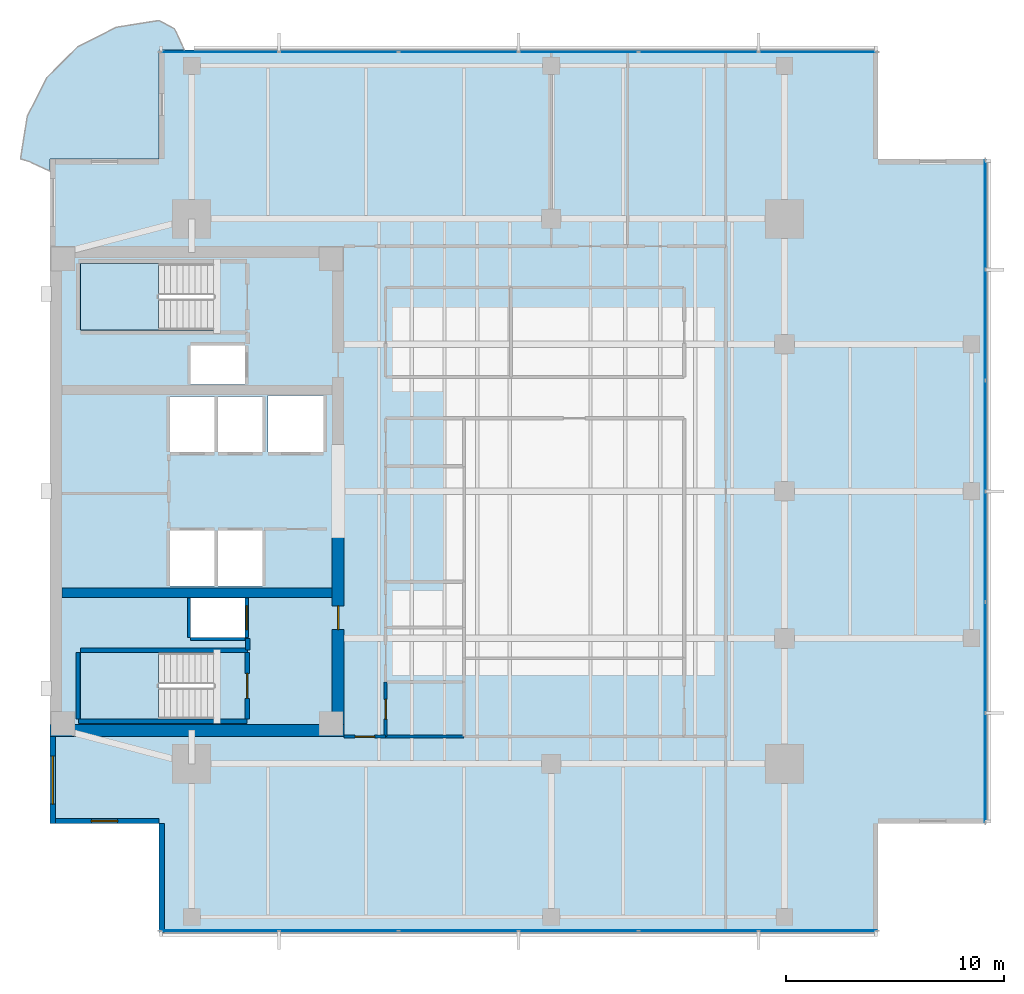
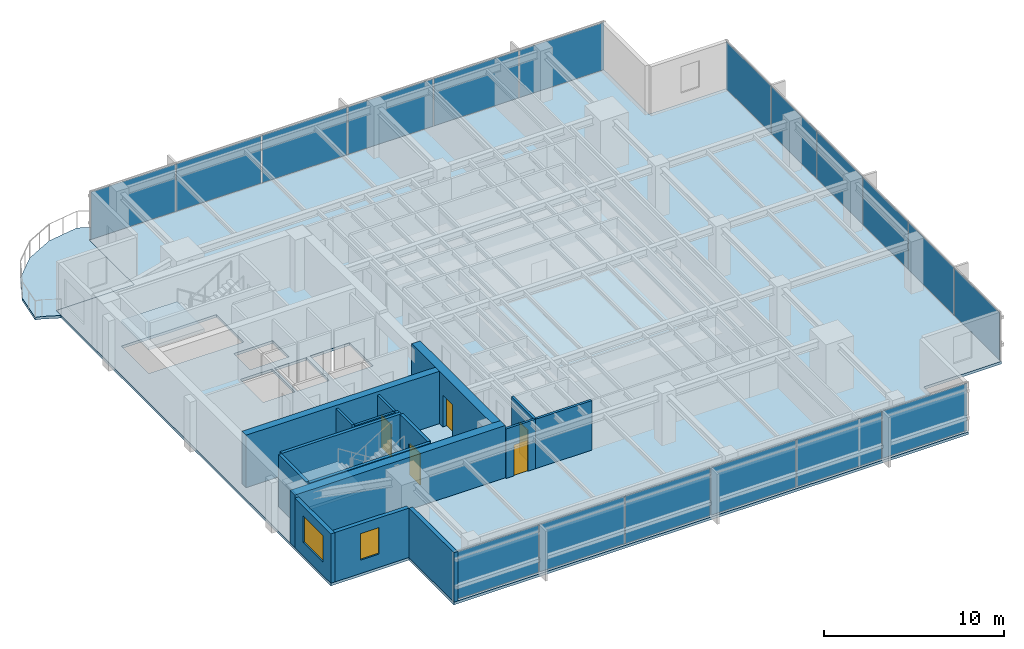
# One storey, part 7 of 15: 18 plates, 17 walls, 5 doors, 4 slabs, 2 windows, 7 openings, 5 elements without a shape of their own.
"""IFC4 building model written with IfcOpenShell, lengths in metres."""

from ifc_helpers import new_model, si_unit, direction, frame, frame_2d, origin, origin_2d, place, context, subcontext, project, spatial, polyline, rectangle, outline, extrude, material, layer, layer_set, type_object, element, fill, aggregate, save


model = new_model("IFC4")

# Units and contexts
model_context = context("Model", 3, precision=1e-05, world=origin(), true_north=direction((0.0, 1.0)))
body_context = subcontext(model_context, "Body", "Model", "MODEL_VIEW")
ifc_project = project(units=[si_unit("LENGTHUNIT", "METRE"), si_unit("AREAUNIT", "SQUARE_METRE"), si_unit("VOLUMEUNIT", "CUBIC_METRE"), si_unit("PLANEANGLEUNIT", "RADIAN"), si_unit("MASSUNIT", "GRAM", prefix="KILO")], contexts=[model_context])

# Site, building, storey
site_placement = place(None, origin())
site = spatial("IfcSite", under=ifc_project, at=site_placement, CompositionType="ELEMENT")
building_placement = place(site_placement, origin())
building = spatial("IfcBuilding", under=site, at=building_placement, Name="Kinhvarn Gate Tower", CompositionType="ELEMENT")
storey_placement = place(building_placement, frame((0.0, 0.0, 237.75)))
storey = spatial("IfcBuildingStorey", under=building, at=storey_placement, Name="L63", CompositionType="ELEMENT", Elevation=237.75)

# Curtain wall, plates
ifc_material_1 = material(Name="Anodised aluminium AW-6063", Category="aluminium")
ifc_layer_1 = layer(ifc_material_1, 0.179931640625)
ifc_layer_set_1 = layer_set([ifc_layer_1], Name="Anodised aluminium AW-6063")
curtain_wall_type = type_object("IfcCurtainWallType", Name="CW-SYS-3", PredefinedType="NOTDEFINED", material=ifc_layer_set_1)
curtain_wall_1_placement = place(storey_placement, origin())
curtain_wall_1 = element("IfcCurtainWall", 1, at=curtain_wall_1_placement, inside=storey, type_object=curtain_wall_type, Name="Curtain Wall CW3 (L63)", PredefinedType="NOTDEFINED")
ifc_material_2 = material(Name="Clear low-e double glazing", Category="glass")
ifc_layer_2 = layer(ifc_material_2, 0.031982421875)
ifc_layer_set_2 = layer_set([ifc_layer_2], Name="Clear low-e double glazing")
plate_type = type_object("IfcPlateType", Name="CW-PNL-VIS", PredefinedType="CURTAIN_PANEL", material=ifc_layer_set_2)
plate_1_placement = place(storey_placement, frame((12.266357421875, 5.090087890625, 0.070068359375), z_axis=(0.0, 0.0, 1.0), x_axis=(1.0, 0.0, 0.0)))
plate_1 = element("IfcPlate", 2, at=plate_1_placement, type_object=plate_type, Name="CW3 panel 1.1", PredefinedType="CURTAIN_PANEL", context=body_context, shape_type="SweptSolid", body=[
    extrude(rectangle(XDim=5.402587890625, YDim=0.031982421875, at=origin_2d()), origin(), (0.0, 0.0, 1.0), 3.2099609375),
])
plate_2_placement = place(storey_placement, frame((17.75, 5.090087890625, 0.070068359375), z_axis=(0.0, 0.0, 1.0), x_axis=(1.0, 0.0, 0.0)))
plate_2 = element("IfcPlate", 3, at=plate_2_placement, type_object=plate_type, Name="CW3 panel 2.1", PredefinedType="CURTAIN_PANEL", context=body_context, shape_type="SweptSolid", body=[
    extrude(rectangle(XDim=5.43505859375, YDim=0.031982421875, at=origin_2d()), origin(), (0.0, 0.0, 1.0), 3.2099609375),
])
plate_3_placement = place(storey_placement, frame((23.25, 5.090087890625, 0.070068359375), z_axis=(0.0, 0.0, 1.0), x_axis=(1.0, 0.0, 0.0)))
plate_3 = element("IfcPlate", 4, at=plate_3_placement, type_object=plate_type, Name="CW3 panel 3.1", PredefinedType="CURTAIN_PANEL", context=body_context, shape_type="SweptSolid", body=[
    extrude(rectangle(XDim=5.43505859375, YDim=0.031982421875, at=origin_2d()), origin(), (0.0, 0.0, 1.0), 3.2099609375),
])
plate_4_placement = place(storey_placement, frame((28.75, 5.090087890625, 0.070068359375), z_axis=(0.0, 0.0, 1.0), x_axis=(1.0, 0.0, 0.0)))
plate_4 = element("IfcPlate", 5, at=plate_4_placement, type_object=plate_type, Name="CW3 panel 4.1", PredefinedType="CURTAIN_PANEL", context=body_context, shape_type="SweptSolid", body=[
    extrude(rectangle(XDim=5.43505859375, YDim=0.031982421875, at=origin_2d()), origin(), (0.0, 0.0, 1.0), 3.2099609375),
])
plate_5_placement = place(storey_placement, frame((34.25, 5.090087890625, 0.070068359375), z_axis=(0.0, 0.0, 1.0), x_axis=(1.0, 0.0, 0.0)))
plate_5 = element("IfcPlate", 6, at=plate_5_placement, type_object=plate_type, Name="CW3 panel 5.1", PredefinedType="CURTAIN_PANEL", context=body_context, shape_type="SweptSolid", body=[
    extrude(rectangle(XDim=5.43505859375, YDim=0.031982421875, at=origin_2d()), origin(), (0.0, 0.0, 1.0), 3.2099609375),
])
plate_6_placement = place(storey_placement, frame((39.733642578125, 5.090087890625, 0.070068359375), z_axis=(0.0, 0.0, 1.0), x_axis=(1.0, 0.0, 0.0)))
plate_6 = element("IfcPlate", 7, at=plate_6_placement, type_object=plate_type, Name="CW3 panel 6.1", PredefinedType="CURTAIN_PANEL", context=body_context, shape_type="SweptSolid", body=[
    extrude(rectangle(XDim=5.402587890625, YDim=0.031982421875, at=origin_2d()), origin(), (0.0, 0.0, 1.0), 3.2099609375),
])
aggregate(curtain_wall_1, [plate_1, plate_2, plate_3, plate_4, plate_5, plate_6])

curtain_wall_2_placement = place(storey_placement, origin())
curtain_wall_2 = element("IfcCurtainWall", 8, at=curtain_wall_2_placement, inside=storey, type_object=curtain_wall_type, Name="Curtain Wall CW3 (L63)", PredefinedType="NOTDEFINED")
plate_7_placement = place(storey_placement, frame((39.733642578125, 45.409912109375, 0.070068359375), z_axis=(0.0, 0.0, 1.0), x_axis=(-1.0, 0.0, 0.0)))
plate_7 = element("IfcPlate", 9, at=plate_7_placement, type_object=plate_type, Name="CW3 panel 1.1", PredefinedType="CURTAIN_PANEL", context=body_context, shape_type="SweptSolid", body=[
    extrude(rectangle(XDim=5.402587890625, YDim=0.031982421875, at=origin_2d()), origin(), (0.0, 0.0, 1.0), 3.2099609375),
])
plate_8_placement = place(storey_placement, frame((34.25, 45.409912109375, 0.070068359375), z_axis=(0.0, 0.0, 1.0), x_axis=(-1.0, 0.0, 0.0)))
plate_8 = element("IfcPlate", 10, at=plate_8_placement, type_object=plate_type, Name="CW3 panel 2.1", PredefinedType="CURTAIN_PANEL", context=body_context, shape_type="SweptSolid", body=[
    extrude(rectangle(XDim=5.43505859375, YDim=0.031982421875, at=origin_2d()), origin(), (0.0, 0.0, 1.0), 3.2099609375),
])
plate_9_placement = place(storey_placement, frame((28.75, 45.409912109375, 0.070068359375), z_axis=(0.0, 0.0, 1.0), x_axis=(-1.0, 0.0, 0.0)))
plate_9 = element("IfcPlate", 11, at=plate_9_placement, type_object=plate_type, Name="CW3 panel 3.1", PredefinedType="CURTAIN_PANEL", context=body_context, shape_type="SweptSolid", body=[
    extrude(rectangle(XDim=5.43505859375, YDim=0.031982421875, at=origin_2d()), origin(), (0.0, 0.0, 1.0), 3.2099609375),
])
plate_10_placement = place(storey_placement, frame((23.25, 45.409912109375, 0.070068359375), z_axis=(0.0, 0.0, 1.0), x_axis=(-1.0, 0.0, 0.0)))
plate_10 = element("IfcPlate", 12, at=plate_10_placement, type_object=plate_type, Name="CW3 panel 4.1", PredefinedType="CURTAIN_PANEL", context=body_context, shape_type="SweptSolid", body=[
    extrude(rectangle(XDim=5.43505859375, YDim=0.031982421875, at=origin_2d()), origin(), (0.0, 0.0, 1.0), 3.2099609375),
])
plate_11_placement = place(storey_placement, frame((17.75, 45.409912109375, 0.070068359375), z_axis=(0.0, 0.0, 1.0), x_axis=(-1.0, 0.0, 0.0)))
plate_11 = element("IfcPlate", 13, at=plate_11_placement, type_object=plate_type, Name="CW3 panel 5.1", PredefinedType="CURTAIN_PANEL", context=body_context, shape_type="SweptSolid", body=[
    extrude(rectangle(XDim=5.43505859375, YDim=0.031982421875, at=origin_2d()), origin(), (0.0, 0.0, 1.0), 3.2099609375),
])
plate_12_placement = place(storey_placement, frame((12.266357421875, 45.409912109375, 0.070068359375), z_axis=(0.0, 0.0, 1.0), x_axis=(-1.0, 0.0, 0.0)))
plate_12 = element("IfcPlate", 14, at=plate_12_placement, type_object=plate_type, Name="CW3 panel 6.1", PredefinedType="CURTAIN_PANEL", context=body_context, shape_type="SweptSolid", body=[
    extrude(rectangle(XDim=5.402587890625, YDim=0.031982421875, at=origin_2d()), origin(), (0.0, 0.0, 1.0), 3.2099609375),
])
aggregate(curtain_wall_2, [plate_7, plate_8, plate_9, plate_10, plate_11, plate_12])

curtain_wall_3_placement = place(storey_placement, origin())
curtain_wall_3 = element("IfcCurtainWall", 15, at=curtain_wall_3_placement, inside=storey, type_object=curtain_wall_type, Name="Curtain Wall CW3 (L63)", PredefinedType="NOTDEFINED")
plate_13_placement = place(storey_placement, frame((47.409912109375, 12.557861328125, 0.070068359375), z_axis=(0.0, 0.0, 1.0), x_axis=(0.0, 1.0, 0.0)))
plate_13 = element("IfcPlate", 16, at=plate_13_placement, type_object=plate_type, Name="CW3 panel 1.1", PredefinedType="CURTAIN_PANEL", context=body_context, shape_type="SweptSolid", body=[
    extrude(rectangle(XDim=4.98583984375, YDim=0.031982421875, at=origin_2d()), origin(), (0.0, 0.0, 1.0), 3.2099609375),
])
plate_14_placement = place(storey_placement, frame((47.409912109375, 17.625, 0.070068359375), z_axis=(0.0, 0.0, 1.0), x_axis=(0.0, 1.0, 0.0)))
plate_14 = element("IfcPlate", 17, at=plate_14_placement, type_object=plate_type, Name="CW3 panel 2.1", PredefinedType="CURTAIN_PANEL", context=body_context, shape_type="SweptSolid", body=[
    extrude(rectangle(XDim=5.018310546875, YDim=0.031982421875, at=origin_2d()), origin(), (0.0, 0.0, 1.0), 3.2099609375),
])
plate_15_placement = place(storey_placement, frame((47.409912109375, 22.708251953125, 0.070068359375), z_axis=(0.0, 0.0, 1.0), x_axis=(0.0, 1.0, 0.0)))
plate_15 = element("IfcPlate", 18, at=plate_15_placement, type_object=plate_type, Name="CW3 panel 3.1", PredefinedType="CURTAIN_PANEL", context=body_context, shape_type="SweptSolid", body=[
    extrude(rectangle(XDim=5.018310546875, YDim=0.031982421875, at=origin_2d()), origin(), (0.0, 0.0, 1.0), 3.2099609375),
])
plate_16_placement = place(storey_placement, frame((47.409912109375, 27.791748046875, 0.070068359375), z_axis=(0.0, 0.0, 1.0), x_axis=(0.0, 1.0, 0.0)))
plate_16 = element("IfcPlate", 19, at=plate_16_placement, type_object=plate_type, Name="CW3 panel 4.1", PredefinedType="CURTAIN_PANEL", context=body_context, shape_type="SweptSolid", body=[
    extrude(rectangle(XDim=5.018310546875, YDim=0.031982421875, at=origin_2d()), origin(), (0.0, 0.0, 1.0), 3.2099609375),
])
plate_17_placement = place(storey_placement, frame((47.409912109375, 32.875, 0.070068359375), z_axis=(0.0, 0.0, 1.0), x_axis=(0.0, 1.0, 0.0)))
plate_17 = element("IfcPlate", 20, at=plate_17_placement, type_object=plate_type, Name="CW3 panel 5.1", PredefinedType="CURTAIN_PANEL", context=body_context, shape_type="SweptSolid", body=[
    extrude(rectangle(XDim=5.018310546875, YDim=0.031982421875, at=origin_2d()), origin(), (0.0, 0.0, 1.0), 3.2099609375),
])
plate_18_placement = place(storey_placement, frame((47.409912109375, 37.942138671875, 0.070068359375), z_axis=(0.0, 0.0, 1.0), x_axis=(0.0, 1.0, 0.0)))
plate_18 = element("IfcPlate", 21, at=plate_18_placement, type_object=plate_type, Name="CW3 panel 6.1", PredefinedType="CURTAIN_PANEL", context=body_context, shape_type="SweptSolid", body=[
    extrude(rectangle(XDim=4.98583984375, YDim=0.031982421875, at=origin_2d()), origin(), (0.0, 0.0, 1.0), 3.2099609375),
])
aggregate(curtain_wall_3, [plate_13, plate_14, plate_15, plate_16, plate_17, plate_18])

# Slabs
ifc_material_3 = material(Name="Precast white architectural concrete C40/50", Category="concrete")
ifc_layer_3 = layer(ifc_material_3, 0.179931640625)
ifc_layer_set_3 = layer_set([ifc_layer_3], Name="Precast white architectural concrete C40/50")
slab_type_1 = type_object("IfcSlabType", Name="SLB-BAL-180", PredefinedType="FLOOR", material=ifc_layer_set_3)
slab_1_placement = place(storey_placement, frame((0.0, 0.0, -0.179931640625)))
element("IfcSlab", 22, at=slab_1_placement, inside=storey, type_object=slab_type_1, Name="S-Carve Curved Terrace Balcony Slab L63 (NW)", PredefinedType="FLOOR", context=body_context, shape_type="SweptSolid", body=[
    extrude(outline(polyline([(10.6650390625, 45.5), (10.215087890625, 46.471923828125), (9.5, 46.85009765625), (7.53759765625, 46.539306640625), (5.767578125, 45.63720703125), (4.36279296875, 44.232421875), (3.460693359375, 42.46240234375), (3.14990234375, 40.5), (3.528076171875, 40.39208984375), (4.5, 39.94189453125), (4.5, 40.5), (9.5, 40.5), (9.5, 45.5), (10.6650390625, 45.5)])), origin(), (0.0, 0.0, 1.0), 0.179931640625),
])
ifc_material_4 = material(Name="Concrete C40/50", Category="concrete")
ifc_layer_4 = layer(ifc_material_4, 0.179931640625)
ifc_layer_set_4 = layer_set([ifc_layer_4], Name="Concrete C40/50")
slab_type_2 = type_object("IfcSlabType", Name="SLB-FLR-180", PredefinedType="FLOOR", material=ifc_layer_set_4)
slab_2_placement = place(storey_placement, frame((0.0, 0.0, -0.179931640625)))
element("IfcSlab", 23, at=slab_2_placement, inside=storey, type_object=slab_type_2, Name="Suspended Floor Slab L63", PredefinedType="FLOOR", context=body_context, shape_type="SweptSolid", body=[
    extrude(outline(polyline([(9.5, 5.0), (42.5, 5.0), (42.5, 10.0), (47.5, 10.0), (47.5, 40.5), (42.5, 40.5), (42.5, 45.5), (9.5, 45.5), (9.5, 40.5), (4.5, 40.5), (4.5, 10.0), (9.5, 10.0), (9.5, 5.0)]), holes=[polyline([(5.89990234375, 14.800048828125), (12.0, 14.800048828125), (12.0, 17.85009765625), (5.89990234375, 17.85009765625), (5.89990234375, 14.800048828125)]), polyline([(5.89990234375, 32.64990234375), (12.0, 32.64990234375), (12.0, 35.699951171875), (5.89990234375, 35.699951171875), (5.89990234375, 32.64990234375)]), polyline([(10.0, 20.89990234375), (12.050048828125, 20.89990234375), (12.050048828125, 23.449951171875), (10.0, 23.449951171875), (10.0, 20.89990234375)]), polyline([(12.199951171875, 20.89990234375), (14.25, 20.89990234375), (14.25, 23.449951171875), (12.199951171875, 23.449951171875), (12.199951171875, 20.89990234375)]), polyline([(10.0, 27.050048828125), (12.050048828125, 27.050048828125), (12.050048828125, 29.60009765625), (10.0, 29.60009765625), (10.0, 27.050048828125)]), polyline([(12.199951171875, 27.050048828125), (14.25, 27.050048828125), (14.25, 29.60009765625), (12.199951171875, 29.60009765625), (12.199951171875, 27.050048828125)]), polyline([(14.5, 27.050048828125), (17.050048828125, 27.050048828125), (17.050048828125, 29.64990234375), (14.5, 29.64990234375), (14.5, 27.050048828125)]), polyline([(10.949951171875, 18.550048828125), (13.449951171875, 18.550048828125), (13.449951171875, 20.35009765625), (10.949951171875, 20.35009765625), (10.949951171875, 18.550048828125)]), polyline([(10.949951171875, 30.14990234375), (13.449951171875, 30.14990234375), (13.449951171875, 31.949951171875), (10.949951171875, 31.949951171875), (10.949951171875, 30.14990234375)])]), origin(), (0.0, 0.0, 1.0), 0.179931640625),
])

# Stair, slab
stair_type = type_object("IfcStairType", Name="STR-DLG-178", PredefinedType="HALF_TURN_STAIR", material=ifc_material_4)
stair_1_placement = place(storey_placement, origin())
stair_1 = element("IfcStair", 24, at=stair_1_placement, inside=storey, type_object=stair_type, Name="L63 Core Smokeproof Exit Stair ST1", PredefinedType="HALF_TURN_STAIR")
ifc_layer_5 = layer(ifc_material_4, 0.199951171875)
ifc_layer_set_5 = layer_set([ifc_layer_5], Name="Concrete C40/50")
slab_type_3 = type_object("IfcSlabType", Name="SLB-ST-LND", PredefinedType="LANDING", material=ifc_layer_set_5)
slab_3_placement = place(storey_placement, frame((0.0, 0.0, 1.574951171875)))
slab_3 = element("IfcSlab", 25, at=slab_3_placement, type_object=slab_type_3, Name="ST1 landing 1", PredefinedType="LANDING", context=body_context, shape_type="SweptSolid", body=[
    extrude(outline(polyline([(9.47998046875, 17.85009765625), (5.89990234375, 17.85009765625), (5.89990234375, 14.800048828125), (9.47998046875, 14.800048828125), (9.47998046875, 17.85009765625)])), origin(), (0.0, 0.0, 1.0), 0.199951171875),
])
aggregate(stair_1, [slab_3])

stair_2_placement = place(storey_placement, origin())
stair_2 = element("IfcStair", 26, at=stair_2_placement, inside=storey, type_object=stair_type, Name="L63 Core Smokeproof Exit Stair ST2", PredefinedType="HALF_TURN_STAIR")
slab_4_placement = place(storey_placement, frame((0.0, 0.0, 1.574951171875)))
slab_4 = element("IfcSlab", 27, at=slab_4_placement, type_object=slab_type_3, Name="ST2 landing 1", PredefinedType="LANDING", context=body_context, shape_type="SweptSolid", body=[
    extrude(outline(polyline([(9.47998046875, 35.699951171875), (5.89990234375, 35.699951171875), (5.89990234375, 32.64990234375), (9.47998046875, 32.64990234375), (9.47998046875, 35.699951171875)])), origin(), (0.0, 0.0, 1.0), 0.199951171875),
])
aggregate(stair_2, [slab_4])

# Walls
ifc_material_5 = material(Name="Concrete C50/60", Category="concrete")
ifc_layer_6 = layer(ifc_material_5, 0.449951171875)
ifc_layer_set_6 = layer_set([ifc_layer_6], Name="Concrete C50/60")
wall_type_1 = type_object("IfcWallType", Name="WL-CORE-450", PredefinedType="SHEAR", material=ifc_layer_set_6)
wall_1_placement = place(storey_placement, frame((5.050048828125, 20.60009765625, 0.0), z_axis=(0.0, 0.0, 1.0), x_axis=(1.0, 0.0, 0.0)))
element("IfcWall", 28, at=wall_1_placement, inside=storey, type_object=wall_type_1, Name="Core South Spine Shear Wall L63 450 mm", PredefinedType="SHEAR", context=body_context, shape_type="SweptSolid", body=[
    extrude(rectangle(XDim=12.39990234375, YDim=0.449951171875, at=frame_2d((6.199951171875, 0.0))), origin(), (0.0, 0.0, 1.0), 3.550048828125),
])
ifc_material_6 = material(Name="Concrete C60/75", Category="concrete")
ifc_layer_7 = layer(ifc_material_6, 0.550048828125)
ifc_layer_set_7 = layer_set([ifc_layer_7], Name="Concrete C60/75")
wall_type_2 = type_object("IfcWallType", Name="WL-CORE-550", PredefinedType="SHEAR", material=ifc_layer_set_7)
wall_2_placement = place(storey_placement, frame((4.5, 14.27490234375, 0.0), z_axis=(0.0, 0.0, 1.0), x_axis=(1.0, 0.0, 0.0)))
element("IfcWall", 29, at=wall_2_placement, inside=storey, type_object=wall_type_2, Name="Core South Shear Wall L63 550 mm", PredefinedType="SHEAR", context=body_context, shape_type="SweptSolid", body=[
    extrude(rectangle(XDim=13.5, YDim=0.550048828125, at=frame_2d((6.75, 0.0))), origin(), (0.0, 0.0, 1.0), 3.550048828125),
])

# Wall, opening, door
wall_3_placement = place(storey_placement, frame((17.72509765625, 14.550048828125, 0.0), z_axis=(0.0, 0.0, 1.0), x_axis=(0.0, 1.0, 0.0)))
wall_3 = element("IfcWall", 30, at=wall_3_placement, inside=storey, type_object=wall_type_2, Name="Core East-South Shear Pier L63 550 mm", PredefinedType="SHEAR", context=body_context, shape_type="SweptSolid", body=[
    extrude(rectangle(XDim=8.89990234375, YDim=0.550048828125, at=frame_2d((4.449951171875, 0.0))), origin(), (0.0, 0.0, 1.0), 3.550048828125),
])
opening_1_placement = place(wall_3_placement, frame((4.35009765625, 0.0, 0.0)))
opening_1 = element("IfcOpeningElement", 31, at=opening_1_placement, cuts=wall_3, Name="Opening FD-02", PredefinedType="OPENING", context=body_context, shape_type="SweptSolid", body=[
    extrude(rectangle(XDim=1.10009765625, YDim=2.14990234375, at=frame_2d((0.550048828125, 1.074951171875))), frame((0.0, 0.28515625, 0.0), z_axis=(0.0, -1.0, 0.0), x_axis=(1.0, 0.0, 0.0)), (0.0, 0.0, 1.0), 0.570068359375),
])
door_type_1 = type_object("IfcDoorType", Name="DR-FD-1100", OperationType="NOTDEFINED", PredefinedType="DOOR", material=ifc_material_1)
door_1_placement = place(opening_1_placement, origin())
door_1 = element("IfcDoor", 32, at=door_1_placement, inside=storey, type_object=door_type_1, Name="Firefighting Lobby Core Door (L63)", OperationType="SINGLE_SWING_RIGHT", OverallHeight=2.14990234375, OverallWidth=1.10009765625, PredefinedType="DOOR", context=body_context, shape_type="SweptSolid", body=[
    extrude(rectangle(XDim=1.10009765625, YDim=2.14990234375, at=frame_2d((0.550048828125, 1.074951171875))), frame((0.0, 0.02490234375, 0.0), z_axis=(0.0, -1.0, 0.0), x_axis=(1.0, 0.0, 0.0)), (0.0, 0.0, 1.0), 0.050048828125),
])
fill(opening_1, door_1)

# Wall, opening, window
ifc_material_7 = material(Name="Fired architectural terracotta", Category="masonry")
ifc_layer_8 = layer(ifc_material_7, 0.25)
ifc_layer_set_8 = layer_set([ifc_layer_8], Name="Fired architectural terracotta")
wall_type_3 = type_object("IfcWallType", Name="WL-EXT-250", PredefinedType="SOLIDWALL", material=ifc_layer_set_8)
wall_4_placement = place(storey_placement, frame((4.625, 14.0, 0.0), z_axis=(0.0, 0.0, 1.0), x_axis=(0.0, -1.0, 0.0)))
wall_4 = element("IfcWall", 33, at=wall_4_placement, inside=storey, type_object=wall_type_3, Name="Exterior Solidwall Wall EW-250 (L63 West-South)", PredefinedType="SOLIDWALL", context=body_context, shape_type="SweptSolid", body=[
    extrude(rectangle(XDim=4.0, YDim=0.25, at=frame_2d((2.0, 0.0))), origin(), (0.0, 0.0, 1.0), 3.35009765625),
])
opening_2_placement = place(wall_4_placement, frame((0.89990234375, 0.0, 0.89990234375)))
opening_2 = element("IfcOpeningElement", 34, at=opening_2_placement, cuts=wall_4, Name="Opening WN-01", PredefinedType="OPENING", context=body_context, shape_type="SweptSolid", body=[
    extrude(rectangle(XDim=2.199951171875, YDim=1.800048828125, at=frame_2d((1.10009765625, 0.89990234375))), frame((0.0, 0.135009765625, 0.0), z_axis=(0.0, -1.0, 0.0), x_axis=(1.0, 0.0, 0.0)), (0.0, 0.0, 1.0), 0.27001953125),
])
window_type_1 = type_object("IfcWindowType", Name="WIN-RIB-2200", PartitioningType="SINGLE_PANEL", PredefinedType="WINDOW", material=ifc_material_2)
window_1_placement = place(opening_2_placement, origin())
window_1 = element("IfcWindow", 35, at=window_1_placement, inside=storey, type_object=window_type_1, Name="West Flank Double-Glazed Ribbon Window 2200x1800 mm (L63)", OverallHeight=1.800048828125, OverallWidth=2.199951171875, PartitioningType="SINGLE_PANEL", PredefinedType="WINDOW", context=body_context, shape_type="SweptSolid", body=[
    extrude(rectangle(XDim=2.199951171875, YDim=1.800048828125, at=frame_2d((1.10009765625, 0.89990234375))), frame((0.0, 0.030029296875, 0.0), z_axis=(0.0, -1.0, 0.0), x_axis=(1.0, 0.0, 0.0)), (0.0, 0.0, 1.0), 0.06005859375),
])
fill(opening_2, window_1)

wall_5_placement = place(storey_placement, frame((4.5, 10.125, 0.0), z_axis=(0.0, 0.0, 1.0), x_axis=(1.0, 0.0, 0.0)))
wall_5 = element("IfcWall", 36, at=wall_5_placement, inside=storey, type_object=wall_type_3, Name="Exterior Solidwall Wall EW-250 (L63 SW-Notch-1)", PredefinedType="SOLIDWALL", context=body_context, shape_type="SweptSolid", body=[
    extrude(rectangle(XDim=5.0, YDim=0.25, at=frame_2d((2.5, 0.0))), origin(), (0.0, 0.0, 1.0), 3.35009765625),
])
opening_3_placement = place(wall_5_placement, frame((1.89990234375, 0.0, 0.89990234375)))
opening_3 = element("IfcOpeningElement", 37, at=opening_3_placement, cuts=wall_5, Name="Opening WN-02", PredefinedType="OPENING", context=body_context, shape_type="SweptSolid", body=[
    extrude(rectangle(XDim=1.199951171875, YDim=1.800048828125, at=frame_2d((0.60009765625, 0.89990234375))), frame((0.0, 0.135009765625, 0.0), z_axis=(0.0, -1.0, 0.0), x_axis=(1.0, 0.0, 0.0)), (0.0, 0.0, 1.0), 0.27001953125),
])
window_type_2 = type_object("IfcWindowType", Name="WIN-NTC-1200", PartitioningType="SINGLE_PANEL", PredefinedType="WINDOW", material=ifc_material_2)
window_2_placement = place(opening_3_placement, origin())
window_2 = element("IfcWindow", 38, at=window_2_placement, inside=storey, type_object=window_type_2, Name="Recessed Corner Notch Punched Window 1200x1800 mm (L63)", OverallHeight=1.800048828125, OverallWidth=1.199951171875, PartitioningType="SINGLE_PANEL", PredefinedType="WINDOW", context=body_context, shape_type="SweptSolid", body=[
    extrude(rectangle(XDim=1.199951171875, YDim=1.800048828125, at=frame_2d((0.60009765625, 0.89990234375))), frame((0.0, 0.030029296875, 0.0), z_axis=(0.0, -1.0, 0.0), x_axis=(1.0, 0.0, 0.0)), (0.0, 0.0, 1.0), 0.06005859375),
])
fill(opening_3, window_2)

# Walls
wall_6_placement = place(storey_placement, frame((9.625, 10.0, 0.0), z_axis=(0.0, 0.0, 1.0), x_axis=(0.0, -1.0, 0.0)))
element("IfcWall", 39, at=wall_6_placement, inside=storey, type_object=wall_type_3, Name="Exterior Solidwall Wall EW-250 (L63 SW-Notch-2)", PredefinedType="SOLIDWALL", context=body_context, shape_type="SweptSolid", body=[
    extrude(rectangle(XDim=5.0, YDim=0.25, at=frame_2d((2.5, 0.0))), origin(), (0.0, 0.0, 1.0), 3.35009765625),
])
ifc_material_8 = material(Name="Gypsum acoustic partition board")
ifc_layer_9 = layer(ifc_material_8, 0.14990234375)
ifc_layer_set_9 = layer_set([ifc_layer_9], Name="Gypsum acoustic partition board")
wall_type_4 = type_object("IfcWallType", Name="WL-PLM-150", PredefinedType="PLUMBINGWALL", material=ifc_layer_set_9)
wall_7_placement = place(storey_placement, frame((19.89990234375, 14.0, 0.0), z_axis=(0.0, 0.0, 1.0), x_axis=(1.0, 0.0, 0.0)))
element("IfcWall", 40, at=wall_7_placement, inside=storey, type_object=wall_type_4, Name="Interior Partition PLW-150 (L63)", PredefinedType="PLUMBINGWALL", context=body_context, shape_type="SweptSolid", body=[
    extrude(rectangle(XDim=3.60009765625, YDim=0.14990234375, at=frame_2d((1.800048828125, 0.0))), origin(), (0.0, 0.0, 1.0), 3.35009765625),
])

# Wall, opening, door
ifc_layer_10 = layer(ifc_material_8, 0.14990234375)
ifc_layer_set_10 = layer_set([ifc_layer_10], Name="Gypsum acoustic partition board")
wall_type_5 = type_object("IfcWallType", Name="WL-PLM-150F", PredefinedType="PLUMBINGWALL", material=ifc_layer_set_10)
wall_8_placement = place(storey_placement, frame((19.89990234375, 14.0, 0.0), z_axis=(0.0, 0.0, 1.0), x_axis=(0.0, 1.0, 0.0)))
wall_8 = element("IfcWall", 41, at=wall_8_placement, inside=storey, type_object=wall_type_5, Name="Interior Partition PLW-150F (L63)", PredefinedType="PLUMBINGWALL", context=body_context, shape_type="SweptSolid", body=[
    extrude(rectangle(XDim=2.5, YDim=0.14990234375, at=frame_2d((1.25, 0.0))), origin(), (0.0, 0.0, 1.0), 3.35009765625),
])
opening_4_placement = place(wall_8_placement, frame((0.800048828125, 0.0, 0.0)))
opening_4 = element("IfcOpeningElement", 42, at=opening_4_placement, cuts=wall_8, Name="Opening FD-04", PredefinedType="OPENING", context=body_context, shape_type="SweptSolid", body=[
    extrude(rectangle(XDim=0.89990234375, YDim=2.10009765625, at=frame_2d((0.449951171875, 1.050048828125))), frame((0.0, 0.0849609375, 0.0), z_axis=(0.0, -1.0, 0.0), x_axis=(1.0, 0.0, 0.0)), (0.0, 0.0, 1.0), 0.169921875),
])
door_type_2 = type_object("IfcDoorType", Name="DR-FD-900", OperationType="NOTDEFINED", PredefinedType="DOOR", material=ifc_material_1)
door_2_placement = place(opening_4_placement, origin())
door_2 = element("IfcDoor", 43, at=door_2_placement, inside=storey, type_object=door_type_2, Name="Rated Riser & Service Closet Fire Door 900x2100 mm (L63)", OperationType="SINGLE_SWING_LEFT", OverallHeight=2.10009765625, OverallWidth=0.89990234375, PredefinedType="DOOR", context=body_context, shape_type="SweptSolid", body=[
    extrude(rectangle(XDim=0.89990234375, YDim=2.10009765625, at=frame_2d((0.449951171875, 1.050048828125))), frame((0.0, 0.02490234375, 0.0), z_axis=(0.0, -1.0, 0.0), x_axis=(1.0, 0.0, 0.0)), (0.0, 0.0, 1.0), 0.050048828125),
])
fill(opening_4, door_2)

ifc_layer_11 = layer(ifc_material_8, 0.14990234375)
ifc_layer_set_11 = layer_set([ifc_layer_11], Name="Gypsum acoustic partition board")
wall_type_6 = type_object("IfcWallType", Name="WL-PRT-150F", PredefinedType="PARTITIONING", material=ifc_layer_set_11)
wall_9_placement = place(storey_placement, frame((18.0, 14.0, 0.0), z_axis=(0.0, 0.0, 1.0), x_axis=(1.0, 0.0, 0.0)))
wall_9 = element("IfcWall", 44, at=wall_9_placement, inside=storey, type_object=wall_type_6, Name="Interior Partition PW-150F (L63)", PredefinedType="PARTITIONING", context=body_context, shape_type="SweptSolid", body=[
    extrude(rectangle(XDim=1.89990234375, YDim=0.14990234375, at=frame_2d((0.949951171875, 0.0))), origin(), (0.0, 0.0, 1.0), 3.35009765625),
])
opening_5_placement = place(wall_9_placement, frame((0.5, 0.0, 0.0)))
opening_5 = element("IfcOpeningElement", 45, at=opening_5_placement, cuts=wall_9, Name="Opening ID-03", PredefinedType="OPENING", context=body_context, shape_type="SweptSolid", body=[
    extrude(rectangle(XDim=0.89990234375, YDim=2.10009765625, at=frame_2d((0.449951171875, 1.050048828125))), frame((0.0, 0.0849609375, 0.0), z_axis=(0.0, -1.0, 0.0), x_axis=(1.0, 0.0, 0.0)), (0.0, 0.0, 1.0), 0.169921875),
])
door_type_3 = type_object("IfcDoorType", Name="DR-INT-900", OperationType="NOTDEFINED", PredefinedType="DOOR", material=ifc_material_1)
door_3_placement = place(opening_5_placement, origin())
door_3 = element("IfcDoor", 46, at=door_3_placement, inside=storey, type_object=door_type_3, Name="Cellular Office & Restroom Door 900x2100 mm (L63)", OperationType="SINGLE_SWING_RIGHT", OverallHeight=2.10009765625, OverallWidth=0.89990234375, PredefinedType="DOOR", context=body_context, shape_type="SweptSolid", body=[
    extrude(rectangle(XDim=0.89990234375, YDim=2.10009765625, at=frame_2d((0.449951171875, 1.050048828125))), frame((0.0, 0.02490234375, 0.0), z_axis=(0.0, -1.0, 0.0), x_axis=(1.0, 0.0, 0.0)), (0.0, 0.0, 1.0), 0.050048828125),
])
fill(opening_5, door_3)

# Walls
ifc_layer_12 = layer(ifc_material_8, 0.199951171875)
ifc_layer_set_12 = layer_set([ifc_layer_12], Name="Gypsum acoustic partition board")
wall_type_7 = type_object("IfcWallType", Name="WL-PRT-200", PredefinedType="PARTITIONING", material=ifc_layer_set_12)
wall_10_placement = place(storey_placement, frame((13.580078125, 17.9599609375, 0.0), z_axis=(0.0, 0.0, 1.0), x_axis=(0.0, 1.0, 0.0)))
element("IfcWall", 47, at=wall_10_placement, inside=storey, type_object=wall_type_7, Name="Interior Partition PW-200 (L63)", PredefinedType="PARTITIONING", context=body_context, shape_type="SweptSolid", body=[
    extrude(rectangle(XDim=0.5400390625, YDim=0.199951171875, at=frame_2d((0.27001953125, 0.0))), origin(), (0.0, 0.0, 1.0), 3.35009765625),
])
ifc_layer_13 = layer(ifc_material_8, 0.14990234375)
ifc_layer_set_13 = layer_set([ifc_layer_13], Name="Gypsum acoustic partition board")
wall_type_8 = type_object("IfcWallType", Name="WL-SHF-150", PredefinedType="PARTITIONING", material=ifc_layer_set_13)
wall_11_placement = place(storey_placement, frame((10.949951171875, 18.47509765625, 0.0), z_axis=(0.0, 0.0, 1.0), x_axis=(1.0, 0.0, 0.0)))
element("IfcWall", 48, at=wall_11_placement, inside=storey, type_object=wall_type_8, Name="Elevator FF1 Hoistway Wall S (L63)", PredefinedType="PARTITIONING", context=body_context, shape_type="SweptSolid", body=[
    extrude(rectangle(XDim=2.5, YDim=0.14990234375, at=frame_2d((1.25, 0.0))), origin(), (0.0, 0.0, 1.0), 3.35009765625),
])
wall_12_placement = place(storey_placement, frame((10.875, 18.550048828125, 0.0), z_axis=(0.0, 0.0, 1.0), x_axis=(0.0, 1.0, 0.0)))
element("IfcWall", 49, at=wall_12_placement, inside=storey, type_object=wall_type_8, Name="Elevator FF1 Hoistway Wall W (L63)", PredefinedType="PARTITIONING", context=body_context, shape_type="SweptSolid", body=[
    extrude(rectangle(XDim=1.800048828125, YDim=0.14990234375, at=frame_2d((0.89990234375, 0.0))), origin(), (0.0, 0.0, 1.0), 3.35009765625),
])

# Wall, opening, door
wall_13_placement = place(storey_placement, frame((13.52490234375, 18.550048828125, 0.0), z_axis=(0.0, 0.0, 1.0), x_axis=(0.0, 1.0, 0.0)))
wall_13 = element("IfcWall", 50, at=wall_13_placement, inside=storey, type_object=wall_type_8, Name="Elevator FF1 Landing Wall (L63)", PredefinedType="PARTITIONING", context=body_context, shape_type="SweptSolid", body=[
    extrude(rectangle(XDim=1.800048828125, YDim=0.14990234375, at=frame_2d((0.89990234375, 0.0))), origin(), (0.0, 0.0, 1.0), 3.35009765625),
])
opening_6_placement = place(wall_13_placement, frame((0.35009765625, 0.0, 0.0)))
opening_6 = element("IfcOpeningElement", 51, at=opening_6_placement, cuts=wall_13, Name="Opening LD-03", PredefinedType="OPENING", context=body_context, shape_type="SweptSolid", body=[
    extrude(rectangle(XDim=1.10009765625, YDim=2.199951171875, at=frame_2d((0.550048828125, 1.10009765625))), frame((0.0, 0.0849609375, 0.0), z_axis=(0.0, -1.0, 0.0), x_axis=(1.0, 0.0, 0.0)), (0.0, 0.0, 1.0), 0.169921875),
])
door_type_4 = type_object("IfcDoorType", Name="DR-LND-FF", OperationType="NOTDEFINED", PredefinedType="DOOR", material=ifc_material_1)
door_4_placement = place(opening_6_placement, origin())
door_4 = element("IfcDoor", 52, at=door_4_placement, inside=storey, type_object=door_type_4, Name="Elevator FF1 Sliding Landing Door (L63)", OperationType="DOUBLE_DOOR_SLIDING", OverallHeight=2.199951171875, OverallWidth=1.10009765625, PredefinedType="DOOR", context=body_context, shape_type="SweptSolid", body=[
    extrude(rectangle(XDim=1.10009765625, YDim=2.199951171875, at=frame_2d((0.550048828125, 1.10009765625))), frame((0.0, 0.02490234375, 0.0), z_axis=(0.0, -1.0, 0.0), x_axis=(1.0, 0.0, 0.0)), (0.0, 0.0, 1.0), 0.050048828125),
])
fill(opening_6, door_4)

# Walls
ifc_layer_14 = layer(ifc_material_4, 0.199951171875)
ifc_layer_set_14 = layer_set([ifc_layer_14], Name="Concrete C40/50")
wall_type_9 = type_object("IfcWallType", Name="WL-SHF-200", PredefinedType="SOLIDWALL", material=ifc_layer_set_14)
wall_14_placement = place(storey_placement, frame((5.800048828125, 14.699951171875, 0.0), z_axis=(0.0, 0.0, 1.0), x_axis=(1.0, 0.0, 0.0)))
element("IfcWall", 53, at=wall_14_placement, inside=storey, type_object=wall_type_9, Name="Stair ST1 South Shaft Wall (L63)", PredefinedType="SOLIDWALL", context=body_context, shape_type="SweptSolid", body=[
    extrude(rectangle(XDim=7.75, YDim=0.199951171875, at=frame_2d((3.875, 0.0))), origin(), (0.0, 0.0, 1.0), 3.550048828125),
])
wall_15_placement = place(storey_placement, frame((5.7900390625, 14.800048828125, 0.0), z_axis=(0.0, 0.0, 1.0), x_axis=(0.0, 1.0, 0.0)))
element("IfcWall", 54, at=wall_15_placement, inside=storey, type_object=wall_type_9, Name="Stair ST1 West Shaft Wall (L63)", PredefinedType="SOLIDWALL", context=body_context, shape_type="SweptSolid", body=[
    extrude(rectangle(XDim=3.050048828125, YDim=0.199951171875, at=frame_2d((1.52490234375, 0.0))), origin(), (0.0, 0.0, 1.0), 3.550048828125),
])
wall_16_placement = place(storey_placement, frame((5.89990234375, 17.9599609375, 0.0), z_axis=(0.0, 0.0, 1.0), x_axis=(1.0, 0.0, 0.0)))
element("IfcWall", 55, at=wall_16_placement, inside=storey, type_object=wall_type_9, Name="Stair ST1 North Shaft Wall (L63)", PredefinedType="SOLIDWALL", context=body_context, shape_type="SweptSolid", body=[
    extrude(rectangle(XDim=7.66015625, YDim=0.199951171875, at=frame_2d((3.830078125, 0.0))), origin(), (0.0, 0.0, 1.0), 3.550048828125),
])

# Wall, opening, door
wall_17_placement = place(storey_placement, frame((13.56005859375, 14.800048828125, 0.0), z_axis=(0.0, 0.0, 1.0), x_axis=(0.0, 1.0, 0.0)))
wall_17 = element("IfcWall", 56, at=wall_17_placement, inside=storey, type_object=wall_type_9, Name="Stair ST1 East Entry Wall (L63)", PredefinedType="SOLIDWALL", context=body_context, shape_type="SweptSolid", body=[
    extrude(rectangle(XDim=3.050048828125, YDim=0.199951171875, at=frame_2d((1.52490234375, 0.0))), origin(), (0.0, 0.0, 1.0), 3.550048828125),
])
opening_7_placement = place(wall_17_placement, frame((0.949951171875, 0.0, 0.0)))
opening_7 = element("IfcOpeningElement", 57, at=opening_7_placement, cuts=wall_17, Name="Opening FD-01", PredefinedType="OPENING", context=body_context, shape_type="SweptSolid", body=[
    extrude(rectangle(XDim=1.14990234375, YDim=2.14990234375, at=frame_2d((0.574951171875, 1.074951171875))), frame((0.0, 0.10986328125, 0.0), z_axis=(0.0, -1.0, 0.0), x_axis=(1.0, 0.0, 0.0)), (0.0, 0.0, 1.0), 0.219970703125),
])
door_type_5 = type_object("IfcDoorType", Name="DR-ST-1150", OperationType="NOTDEFINED", PredefinedType="DOOR", material=ifc_material_1)
door_5_placement = place(opening_7_placement, origin())
door_5 = element("IfcDoor", 58, at=door_5_placement, inside=storey, type_object=door_type_5, Name="Exit Stair ST1 Fire Door (L63)", OperationType="SINGLE_SWING_LEFT", OverallHeight=2.14990234375, OverallWidth=1.14990234375, PredefinedType="DOOR", context=body_context, shape_type="SweptSolid", body=[
    extrude(rectangle(XDim=1.14990234375, YDim=2.14990234375, at=frame_2d((0.574951171875, 1.074951171875))), frame((0.0, 0.02490234375, 0.0), z_axis=(0.0, -1.0, 0.0), x_axis=(1.0, 0.0, 0.0)), (0.0, 0.0, 1.0), 0.050048828125),
])
fill(opening_7, door_5)

save(model, "model.ifc")
